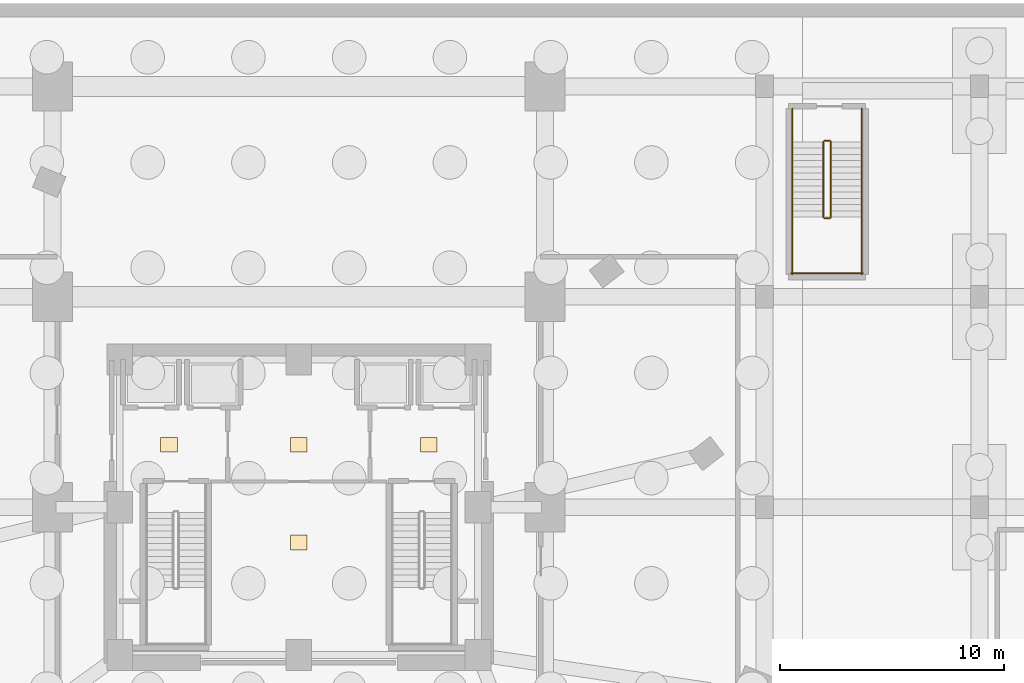
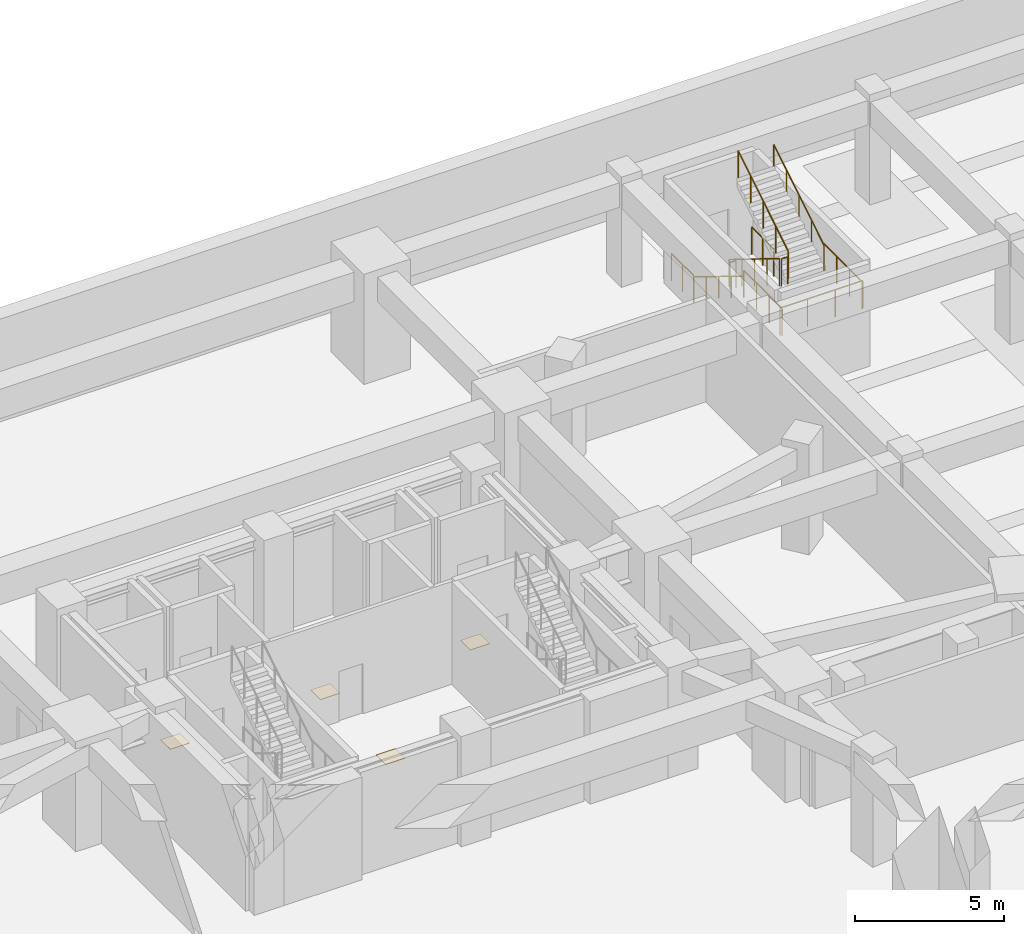
# One storey, part 9 of 10: 11 railings, 4 coverings.
"""IFC4 building model written with IfcOpenShell, lengths in metres."""

import ifcopenshell
import ifcopenshell.guid

model = None  # the IFC model being written
_history = None  # IfcOwnerHistory: only IFC2X3 demands one
_inside = {}  # id of a spatial element -> (the spatial element, [elements in it])
_under = {}  # id of a project, library or spatial element -> (it, [spatial elements below it])
_declared = {}  # id of a project -> (the project, [libraries it declares])
_typed = {}  # id of a type object -> (the type object, [elements of that type])
_made_of = {}  # id of a material, layer set ... -> (it, [elements and type objects made of it])


def new_model(schema):
    """Start an empty IFC model of exactly this schema.

    Asked for "IFC4X3", IfcOpenShell would pick the latest addendum, in which some entities
    have other attributes; the version numbers below select the first issue.
    IFC2X3 requires an IfcOwnerHistory on every rooted entity: one is made here for all.
    """
    global model, _history
    if schema == "IFC4X3":
        model = ifcopenshell.file(schema_version=(4, 3, 0, 0))
    else:
        model = ifcopenshell.file(schema=schema)
    _inside.clear()
    _under.clear()
    _declared.clear()
    _typed.clear()
    _made_of.clear()
    _history = None
    if model.schema == "IFC2X3":
        org = make("IfcOrganization", Name="unknown")
        user = make(
            "IfcPersonAndOrganization",
            ThePerson=make("IfcPerson", FamilyName="unknown"),
            TheOrganization=org,
        )
        app = make(
            "IfcApplication",
            ApplicationDeveloper=org,
            Version="unknown",
            ApplicationFullName="unknown",
            ApplicationIdentifier="unknown",
        )
        _history = make(
            "IfcOwnerHistory",
            OwningUser=user,
            OwningApplication=app,
            ChangeAction="ADDED",
            CreationDate=0,
        )
    return model


def make(cls, **values):
    """One entity of the class cls with the attributes given. An attribute that is None is left unset."""
    return model.create_entity(
        cls, **{name: value for name, value in values.items() if value is not None}
    )


def rooted(cls, **values):
    """An entity with a GlobalId (a new one), such as an element, a storey or a relation."""
    return make(cls, GlobalId=ifcopenshell.guid.new(), OwnerHistory=_history, **values)


def si_unit(unit_type, name, prefix=None):
    """IfcSIUnit, for example si_unit("LENGTHUNIT", "METRE", prefix="MILLI")."""
    return make("IfcSIUnit", UnitType=unit_type, Prefix=prefix, Name=name)


def assignment(units):
    """IfcUnitAssignment: the units of a project."""
    return None if units is None else make("IfcUnitAssignment", Units=units)


def point(xyz):
    """IfcCartesianPoint."""
    return None if xyz is None else make("IfcCartesianPoint", Coordinates=xyz)


def direction(xyz):
    """IfcDirection."""
    return None if xyz is None else make("IfcDirection", DirectionRatios=xyz)


def frame(location, z_axis=None, x_axis=None):
    """IfcAxis2Placement3D, a coordinate frame: its origin and axes. An axis left out is left unset."""
    return make(
        "IfcAxis2Placement3D",
        Location=point(location),
        Axis=direction(z_axis),
        RefDirection=direction(x_axis),
    )


def frame_2d(location, x_axis=None):
    """IfcAxis2Placement2D, a coordinate frame in the plane: its origin and x axis."""
    return make(
        "IfcAxis2Placement2D", Location=point(location), RefDirection=direction(x_axis)
    )


def origin():
    """The frame at (0, 0, 0) with its axes left unset."""
    return frame((0.0, 0.0, 0.0))


def origin_2d():
    """The frame at (0, 0) in the plane with its x axis left unset."""
    return frame_2d((0.0, 0.0))


def place(relative_to, where):
    """IfcLocalPlacement: puts the frame where relative to a parent placement (None: the world)."""
    return make(
        "IfcLocalPlacement", PlacementRelTo=relative_to, RelativePlacement=where
    )


def context(
    kind, dimensions, precision=None, world=None, true_north=None, identifier=None
):
    """IfcGeometricRepresentationContext, for example the 3D "Model" context."""
    return make(
        "IfcGeometricRepresentationContext",
        ContextIdentifier=identifier,
        ContextType=kind,
        CoordinateSpaceDimension=dimensions,
        Precision=precision,
        WorldCoordinateSystem=world,
        TrueNorth=true_north,
    )


def subcontext(parent, identifier, kind, view, scale=None):
    """IfcGeometricRepresentationSubContext, for example "Body" below "Model"."""
    return make(
        "IfcGeometricRepresentationSubContext",
        ContextIdentifier=identifier,
        ContextType=kind,
        ParentContext=parent,
        TargetScale=scale,
        TargetView=view,
    )


def project(units=None, contexts=None):
    """IfcProject with its units and contexts."""
    return rooted(
        "IfcProject",
        Name="project",
        RepresentationContexts=contexts,
        UnitsInContext=assignment(units),
    )


def spatial(cls, under=None, at=None, **own):
    """A site, building, storey or space (cls), placed at a placement, below another one or the project."""
    s = rooted(cls, ObjectPlacement=at, **own)
    if under is not None:
        _under.setdefault(under.id(), (under, []))[1].append(s)
    return s


def profile(cls, at=None, kind="AREA", **sizes):
    """A parametric profile (cls). Its sizes go by their IFC names, for example OverallWidth=200.0."""
    return make(cls, ProfileType=kind, Position=at, **sizes)


def rectangle(**sizes):
    """IfcRectangleProfileDef."""
    return profile("IfcRectangleProfileDef", **sizes)


def circle(**sizes):
    """IfcCircleProfileDef."""
    return profile("IfcCircleProfileDef", **sizes)


def extrude(swept, where, along, depth):
    """IfcExtrudedAreaSolid: the profile swept, set in the frame where, extruded along a direction by depth."""
    return make(
        "IfcExtrudedAreaSolid",
        SweptArea=swept,
        Position=where,
        ExtrudedDirection=direction(along),
        Depth=depth,
    )


def shape(context_of_items, identifier, shape_type, items):
    """IfcShapeRepresentation: the items that make up one representation, for example the "Body"."""
    return make(
        "IfcShapeRepresentation",
        ContextOfItems=context_of_items,
        RepresentationIdentifier=identifier,
        RepresentationType=shape_type,
        Items=items,
    )


def material(Name=None, Category=None):
    """IfcMaterial."""
    return make("IfcMaterial", Name=Name, Category=Category)


def layer(
    of_material, thickness, ventilated=None, Name=None, Category=None, Priority=None
):
    """IfcMaterialLayer: one layer of a wall or slab, of a material (None: an air gap)."""
    return make(
        "IfcMaterialLayer",
        Material=of_material,
        LayerThickness=thickness,
        IsVentilated=ventilated,
        Name=Name,
        Category=Category,
        Priority=Priority,
    )


def layer_set(layers, Name=None):
    """IfcMaterialLayerSet."""
    return make("IfcMaterialLayerSet", MaterialLayers=layers, LayerSetName=Name)


def made_of(thing, what):
    """Note that an element or type object is made of a material, layer set ...; save() writes the relation."""
    if what is not None:
        _made_of.setdefault(what.id(), (what, []))[1].append(thing)
    return thing


def type_object(cls, material=None, **own):
    """A type object (cls), such as IfcWallType, which elements share."""
    return made_of(rooted(cls, **own), material)


def element(
    cls,
    number,
    at=None,
    inside=None,
    cuts=None,
    type_object=None,
    material=None,
    context=None,
    identifier="Body",
    shape_type=None,
    held_by="IfcProductDefinitionShape",
    body=None,
    shapes=None,
    **own,
):
    """One element of the class cls, such as IfcWall. Its Tag is "e" and its number.

    at: its placement. inside: the storey or other place that contains it. cuts: it is an
    opening in that element (IfcRelVoidsElement). A single representation is given by context,
    identifier, shape_type and body (its items); several are given by shapes. held_by: the class
    of the entity that holds the representations. save() writes the other relations.
    """
    e = rooted(cls, Tag="e%d" % number, ObjectPlacement=at, **own)
    if body is not None:
        shapes = [shape(context, identifier, shape_type, body)]
    if shapes is not None:
        e.Representation = make(held_by, Representations=shapes)
    if inside is not None:
        _inside.setdefault(inside.id(), (inside, []))[1].append(e)
    if cuts is not None:
        rooted(
            "IfcRelVoidsElement", RelatingBuildingElement=cuts, RelatedOpeningElement=e
        )
    if type_object is not None:
        _typed.setdefault(type_object.id(), (type_object, []))[1].append(e)
    return made_of(e, material)


def aggregate(whole, parts):
    """IfcRelAggregates: a whole, such as a stair, and the parts it consists of."""
    return rooted("IfcRelAggregates", RelatingObject=whole, RelatedObjects=parts)


def save(model, path):
    """Write the relations noted so far, then the file.

    IfcRelAggregates (storeys below a building ...), IfcRelContainedInSpatialStructure (elements
    in a storey), IfcRelDefinesByType, IfcRelAssociatesMaterial and IfcRelDeclares: one each for
    every whole, place, type object, material and project.
    """
    for whole, parts in _under.values():
        aggregate(whole, parts)
    for where, things in _inside.values():
        rooted(
            "IfcRelContainedInSpatialStructure",
            RelatedElements=things,
            RelatingStructure=where,
        )
    for kind, things in _typed.values():
        rooted("IfcRelDefinesByType", RelatedObjects=things, RelatingType=kind)
    for what, things in _made_of.values():
        rooted("IfcRelAssociatesMaterial", RelatedObjects=things, RelatingMaterial=what)
    for by, libraries in _declared.values():
        rooted("IfcRelDeclares", RelatingContext=by, RelatedDefinitions=libraries)
    model.write(path)


model = new_model("IFC4")

# Units and contexts
model_context = context("Model", 3, precision=1e-05, world=origin(), true_north=direction((0.0, 1.0)))
body_context = subcontext(model_context, "Body", "Model", "MODEL_VIEW")
ifc_project = project(units=[si_unit("LENGTHUNIT", "METRE"), si_unit("AREAUNIT", "SQUARE_METRE"), si_unit("VOLUMEUNIT", "CUBIC_METRE"), si_unit("PLANEANGLEUNIT", "RADIAN"), si_unit("MASSUNIT", "GRAM", prefix="KILO")], contexts=[model_context])

# Site, building, storey
site_placement = place(None, origin())
site = spatial("IfcSite", under=ifc_project, at=site_placement, CompositionType="ELEMENT")
building_placement = place(site_placement, origin())
building = spatial("IfcBuilding", under=site, at=building_placement, Name="Ndelora Gate Hotel", CompositionType="ELEMENT")
storey_placement = place(building_placement, frame((0.0, 0.0, -13.5)))
storey = spatial("IfcBuildingStorey", under=building, at=storey_placement, Name="B03", CompositionType="ELEMENT", Elevation=-13.5)

# Coverings
ifc_material_1 = material(Name="Non-Slip Porcelain Wet-Room Tile", Category="ceramic")
ifc_layer_1 = layer(ifc_material_1, 0.02490234375)
ifc_layer_set_1 = layer_set([ifc_layer_1], Name="Non-Slip Porcelain Wet-Room Tile")
covering_type = type_object("IfcCoveringType", Name="COV-FLR-TILE", PredefinedType="FLOORING", material=ifc_layer_set_1)
for number, where, z_axis, x_axis, name in (
    (1, (-5.800048828125, 2.800048828125, 0.0), (0.0, 0.0, 1.0), (1.0, 0.0, 0.0), "B03 Firefighting Lift Lobby West Porcelain Tile Flooring"),
    (2, (5.800048828125, 2.800048828125, 0.0), (0.0, 0.0, 1.0), (1.0, 0.0, 0.0), "B03 Firefighting Lift Lobby East Porcelain Tile Flooring"),
    (3, (0.0, 2.800048828125, 0.0), (0.0, 0.0, 1.0), (1.0, 0.0, 0.0), "B03 Central Passenger Lift Lobby Porcelain Tile Flooring"),
    (4, (0.0, -1.574951171875, 0.0), (0.0, 0.0, 1.0), (1.0, 0.0, 0.0), "B03 Core Electrical and Linen Service Store Porcelain Tile Flooring"),
):
    element("IfcCovering", number, at=place(storey_placement, frame(where, z_axis=z_axis, x_axis=x_axis)), inside=storey, type_object=covering_type, Name=name, PredefinedType="FLOORING", context=body_context, shape_type="SweptSolid", body=[
        extrude(rectangle(XDim=0.75, YDim=0.64990234375, at=origin_2d()), origin(), (0.0, 0.0, 1.0), 0.02490234375),
    ])

# Railings
ifc_material_2 = material(Name="Painted Galvanized Steel Balustrade", Category="steel")
ifc_layer_2 = layer(ifc_material_2, 0.06005859375)
ifc_layer_set_2 = layer_set([ifc_layer_2], Name="Painted Galvanized Steel Balustrade")
railing_type_1 = type_object("IfcRailingType", Name="RL-STAIR-GD", PredefinedType="GUARDRAIL", material=ifc_layer_set_2)
railing_1_placement = place(storey_placement, frame((23.429931640625, 16.320068359375, 0.173095703125)))
element("IfcRailing", 5, at=railing_1_placement, inside=storey, type_object=railing_type_1, Name="B03 ST2 stair guard 1", PredefinedType="GUARDRAIL", context=body_context, shape_type="SweptSolid", body=[
    extrude(circle(Radius=0.02392578125, at=origin_2d()), frame((0.0, 0.0, 1.10595703125), z_axis=(0.0, -0.850623216509, 0.525775754039), x_axis=(1.0, 0.0, 0.0)), (0.0, 0.0, 1.0), 3.9501953125),
    extrude(circle(Radius=0.02099609375, at=origin_2d()), origin(), (0.0, 0.0, 1.0), 1.081787109375),
    extrude(circle(Radius=0.02099609375, at=origin_2d()), frame((0.0, -0.840087890625, 0.519287109375)), (0.0, 0.0, 1.0), 1.081787109375),
    extrude(circle(Radius=0.02099609375, at=origin_2d()), frame((0.0, -1.68017578125, 1.03857421875)), (0.0, 0.0, 1.0), 1.081787109375),
    extrude(circle(Radius=0.02099609375, at=origin_2d()), frame((0.0, -2.52001953125, 1.5576171875)), (0.0, 0.0, 1.0), 1.081787109375),
    extrude(circle(Radius=0.02099609375, at=origin_2d()), frame((0.0, -3.360107421875, 2.076904296875)), (0.0, 0.0, 1.0), 1.081787109375),
])
railing_2_placement = place(storey_placement, frame((23.47998046875, 12.909912109375, 2.25)))
element("IfcRailing", 6, at=railing_2_placement, inside=storey, type_object=railing_type_1, Name="B03 ST2 stair guard 2", PredefinedType="GUARDRAIL", context=body_context, shape_type="SweptSolid", body=[
    extrude(circle(Radius=0.02392578125, at=origin_2d()), frame((0.0, 0.0, 1.10595703125), z_axis=(1.0, 0.0, 0.0), x_axis=(0.0, 1.0, 0.0)), (0.0, 0.0, 1.0), 0.239990234375),
    extrude(circle(Radius=0.02099609375, at=origin_2d()), origin(), (0.0, 0.0, 1.0), 1.081787109375),
    extrude(circle(Radius=0.02099609375, at=origin_2d()), frame((0.239990234375, 0.0, 0.0)), (0.0, 0.0, 1.0), 1.081787109375),
])
for number, where, name in (
    (7, (22.050048828125, 12.9599609375, 2.25), "B03 ST2 stair guard 3"),
    (8, (25.14990234375, 12.9599609375, 2.25), "B03 ST2 stair guard 4"),
):
    element("IfcRailing", number, at=place(storey_placement, frame(where)), inside=storey, type_object=railing_type_1, Name=name, PredefinedType="GUARDRAIL", context=body_context, shape_type="SweptSolid", body=[
        extrude(circle(Radius=0.02392578125, at=origin_2d()), frame((0.0, 0.0, 1.10595703125), z_axis=(0.0, -1.0, 0.0), x_axis=(1.0, 0.0, 0.0)), (0.0, 0.0, 1.0), 2.56005859375),
        extrude(circle(Radius=0.02099609375, at=origin_2d()), origin(), (0.0, 0.0, 1.0), 1.081787109375),
        extrude(circle(Radius=0.02099609375, at=origin_2d()), frame((0.0, -0.853271484375, 0.0)), (0.0, 0.0, 1.0), 1.081787109375),
        extrude(circle(Radius=0.02099609375, at=origin_2d()), frame((0.0, -1.706787109375, 0.0)), (0.0, 0.0, 1.0), 1.081787109375),
        extrude(circle(Radius=0.02099609375, at=origin_2d()), frame((0.0, -2.56005859375, 0.0)), (0.0, 0.0, 1.0), 1.081787109375),
    ])
railing_3_placement = place(storey_placement, frame((22.0, 10.449951171875, 2.25)))
element("IfcRailing", 9, at=railing_3_placement, inside=storey, type_object=railing_type_1, Name="B03 ST2 stair guard 5", PredefinedType="GUARDRAIL", context=body_context, shape_type="SweptSolid", body=[
    extrude(circle(Radius=0.02392578125, at=origin_2d()), frame((0.0, 0.0, 1.10595703125), z_axis=(1.0, 0.0, 0.0), x_axis=(0.0, 1.0, 0.0)), (0.0, 0.0, 1.0), 3.199951171875),
    extrude(circle(Radius=0.02099609375, at=origin_2d()), origin(), (0.0, 0.0, 1.0), 1.081787109375),
    extrude(circle(Radius=0.02099609375, at=origin_2d()), frame((1.066650390625, 0.0, 0.0)), (0.0, 0.0, 1.0), 1.081787109375),
    extrude(circle(Radius=0.02099609375, at=origin_2d()), frame((2.13330078125, 0.0, 0.0)), (0.0, 0.0, 1.0), 1.081787109375),
    extrude(circle(Radius=0.02099609375, at=origin_2d()), frame((3.199951171875, 0.0, 0.0)), (0.0, 0.0, 1.0), 1.081787109375),
])
railing_4_placement = place(storey_placement, frame((23.77001953125, 12.9599609375, 2.423095703125)))
element("IfcRailing", 10, at=railing_4_placement, inside=storey, type_object=railing_type_1, Name="B03 ST2 stair guard 6", PredefinedType="GUARDRAIL", context=body_context, shape_type="SweptSolid", body=[
    extrude(circle(Radius=0.02392578125, at=origin_2d()), frame((0.0, 0.0, 1.10595703125), z_axis=(0.0, 0.850623216509, 0.525775754039), x_axis=(-1.0, 0.0, 0.0)), (0.0, 0.0, 1.0), 3.9501953125),
    extrude(circle(Radius=0.02099609375, at=origin_2d()), origin(), (0.0, 0.0, 1.0), 1.081787109375),
    extrude(circle(Radius=0.02099609375, at=origin_2d()), frame((0.0, 0.840087890625, 0.519287109375)), (0.0, 0.0, 1.0), 1.081787109375),
    extrude(circle(Radius=0.02099609375, at=origin_2d()), frame((0.0, 1.68017578125, 1.03857421875)), (0.0, 0.0, 1.0), 1.081787109375),
    extrude(circle(Radius=0.02099609375, at=origin_2d()), frame((0.0, 2.52001953125, 1.5576171875)), (0.0, 0.0, 1.0), 1.081787109375),
    extrude(circle(Radius=0.02099609375, at=origin_2d()), frame((0.0, 3.360107421875, 2.076904296875)), (0.0, 0.0, 1.0), 1.081787109375),
])
railing_5_placement = place(storey_placement, frame((23.47998046875, 16.3701171875, 0.0)))
element("IfcRailing", 11, at=railing_5_placement, inside=storey, type_object=railing_type_1, Name="B03 ST2 stair guard 7", PredefinedType="GUARDRAIL", context=body_context, shape_type="SweptSolid", body=[
    extrude(circle(Radius=0.02392578125, at=origin_2d()), frame((0.0, 0.0, 1.10595703125), z_axis=(1.0, 0.0, 0.0), x_axis=(0.0, 1.0, 0.0)), (0.0, 0.0, 1.0), 0.239990234375),
    extrude(circle(Radius=0.02099609375, at=origin_2d()), origin(), (0.0, 0.0, 1.0), 1.081787109375),
    extrude(circle(Radius=0.02099609375, at=origin_2d()), frame((0.239990234375, 0.0, 0.0)), (0.0, 0.0, 1.0), 1.081787109375),
])
for number, where, name in (
    (12, (22.050048828125, 17.800048828125, 0.0), "B03 ST2 stair guard 8"),
    (13, (25.14990234375, 17.800048828125, 0.0), "B03 ST2 stair guard 9"),
):
    element("IfcRailing", number, at=place(storey_placement, frame(where)), inside=storey, type_object=railing_type_1, Name=name, PredefinedType="GUARDRAIL", context=body_context, shape_type="SweptSolid", body=[
        extrude(circle(Radius=0.02392578125, at=origin_2d()), frame((0.0, 0.0, 1.10595703125), z_axis=(0.0, -1.0, 0.0), x_axis=(1.0, 0.0, 0.0)), (0.0, 0.0, 1.0), 1.47998046875),
        extrude(circle(Radius=0.02099609375, at=origin_2d()), origin(), (0.0, 0.0, 1.0), 1.081787109375),
        extrude(circle(Radius=0.02099609375, at=origin_2d()), frame((0.0, -0.739990234375, 0.0)), (0.0, 0.0, 1.0), 1.081787109375),
        extrude(circle(Radius=0.02099609375, at=origin_2d()), frame((0.0, -1.47998046875, 0.0)), (0.0, 0.0, 1.0), 1.081787109375),
    ])
ifc_material_3 = material(Name="Brushed Stainless Steel 316", Category="steel")
ifc_layer_3 = layer(ifc_material_3, 0.050048828125)
ifc_layer_set_3 = layer_set([ifc_layer_3], Name="Brushed Stainless Steel 316")
railing_type_2 = type_object("IfcRailingType", Name="RL-STAIR-HR", PredefinedType="HANDRAIL", material=ifc_layer_set_3)
railing_6_placement = place(storey_placement, frame((22.050048828125, 16.320068359375, 0.173095703125)))
element("IfcRailing", 14, at=railing_6_placement, inside=storey, type_object=railing_type_2, Name="B03 ST2 stair handrail 1", PredefinedType="HANDRAIL", context=body_context, shape_type="SweptSolid", body=[
    extrude(circle(Radius=0.02392578125, at=origin_2d()), frame((0.0, 0.0, 0.8759765625), z_axis=(0.0, -0.850623216509, 0.525775754039), x_axis=(1.0, 0.0, 0.0)), (0.0, 0.0, 1.0), 3.9501953125),
    extrude(circle(Radius=0.02099609375, at=origin_2d()), origin(), (0.0, 0.0, 1.0), 0.851806640625),
    extrude(circle(Radius=0.02099609375, at=origin_2d()), frame((0.0, -0.840087890625, 0.519287109375)), (0.0, 0.0, 1.0), 0.851806640625),
    extrude(circle(Radius=0.02099609375, at=origin_2d()), frame((0.0, -1.68017578125, 1.03857421875)), (0.0, 0.0, 1.0), 0.851806640625),
    extrude(circle(Radius=0.02099609375, at=origin_2d()), frame((0.0, -2.52001953125, 1.5576171875)), (0.0, 0.0, 1.0), 0.851806640625),
    extrude(circle(Radius=0.02099609375, at=origin_2d()), frame((0.0, -3.360107421875, 2.076904296875)), (0.0, 0.0, 1.0), 0.851806640625),
])
railing_7_placement = place(storey_placement, frame((25.14990234375, 12.9599609375, 2.423095703125)))
element("IfcRailing", 15, at=railing_7_placement, inside=storey, type_object=railing_type_2, Name="B03 ST2 stair handrail 2", PredefinedType="HANDRAIL", context=body_context, shape_type="SweptSolid", body=[
    extrude(circle(Radius=0.02392578125, at=origin_2d()), frame((0.0, 0.0, 0.8759765625), z_axis=(0.0, 0.850623216509, 0.525775754039), x_axis=(-1.0, 0.0, 0.0)), (0.0, 0.0, 1.0), 3.9501953125),
    extrude(circle(Radius=0.02099609375, at=origin_2d()), origin(), (0.0, 0.0, 1.0), 0.851806640625),
    extrude(circle(Radius=0.02099609375, at=origin_2d()), frame((0.0, 0.840087890625, 0.519287109375)), (0.0, 0.0, 1.0), 0.851806640625),
    extrude(circle(Radius=0.02099609375, at=origin_2d()), frame((0.0, 1.68017578125, 1.03857421875)), (0.0, 0.0, 1.0), 0.851806640625),
    extrude(circle(Radius=0.02099609375, at=origin_2d()), frame((0.0, 2.52001953125, 1.5576171875)), (0.0, 0.0, 1.0), 0.851806640625),
    extrude(circle(Radius=0.02099609375, at=origin_2d()), frame((0.0, 3.360107421875, 2.076904296875)), (0.0, 0.0, 1.0), 0.851806640625),
])

save(model, "model.ifc")
